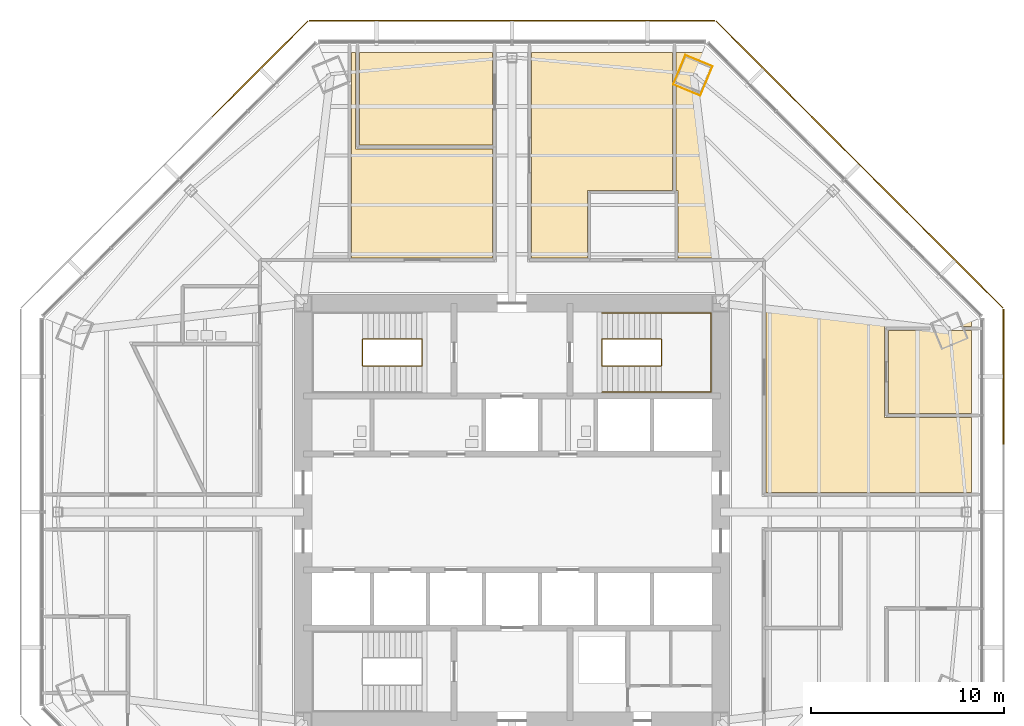
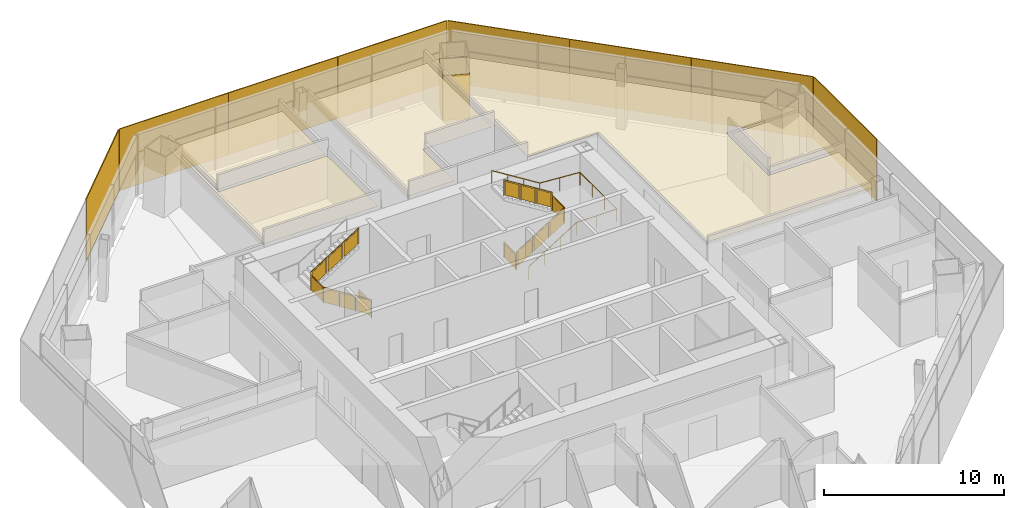
# One storey, part 13 of 14: 8 shading devices, 6 coverings, 3 railings.
"""IFC4 building model written with IfcOpenShell, lengths in metres."""

from ifc_helpers import new_model, si_unit, direction, frame, origin, origin_2d, place, context, subcontext, project, spatial, polyline, rectangle, circle, outline, extrude, source, transform, mapped, material, layer, layer_set, type_object, type_shapes, element, save


model = new_model("IFC4")

# Units and contexts
model_context = context("Model", 3, precision=1e-05, world=origin(), true_north=direction((0.0, 1.0)))
body_context = subcontext(model_context, "Body", "Model", "MODEL_VIEW")
ifc_project = project(units=[si_unit("LENGTHUNIT", "METRE"), si_unit("AREAUNIT", "SQUARE_METRE"), si_unit("VOLUMEUNIT", "CUBIC_METRE"), si_unit("PLANEANGLEUNIT", "RADIAN"), si_unit("MASSUNIT", "GRAM", prefix="KILO")], contexts=[model_context])

# Site, building, storey
site_placement = place(None, origin())
site = spatial("IfcSite", under=ifc_project, at=site_placement, CompositionType="ELEMENT")
building_placement = place(site_placement, origin())
building = spatial("IfcBuilding", under=site, at=building_placement, Name="Mashrafa Tower", CompositionType="ELEMENT")
storey_placement = place(building_placement, frame((0.0, 0.0, 130.199951171875)))
storey = spatial("IfcBuildingStorey", under=building, at=storey_placement, Name="L29", CompositionType="ELEMENT", Elevation=130.199951171875)

# Covering
ifc_material_1 = material(Name="Gypsum board")
ifc_layer_1 = layer(ifc_material_1, 0.014892578125)
ifc_layer_set_1 = layer_set([ifc_layer_1], Name="Column casing plasterboard 15")
covering_type_1 = type_object("IfcCoveringType", Name="Column casing plasterboard 15", PredefinedType="CLADDING", material=ifc_layer_set_1)
covering_1_placement = place(storey_placement, origin())
element("IfcCovering", 1, at=covering_1_placement, inside=storey, type_object=covering_type_1, Name="Column casing L29-001", PredefinedType="CLADDING", context=body_context, shape_type="SweptSolid", body=[
    extrude(outline(polyline([(8.33447265625, 22.1201171875), (8.91455078125, 23.5205078125), (8.969482421875, 23.6533203125), (10.383056640625, 23.067626953125), (9.802978515625, 21.667236328125), (9.748046875, 21.53466796875), (8.33447265625, 22.1201171875)]), holes=[polyline([(9.7890625, 21.673095703125), (10.36328125, 23.0595703125), (8.9775390625, 23.633544921875), (8.92822265625, 23.514892578125), (8.35400390625, 22.12841796875), (9.739990234375, 21.55419921875), (9.7890625, 21.673095703125)])]), origin(), (0.0, 0.0, 1.0), 3.0419921875),
])

# Railings
ifc_material_2 = material(Name="Steel guard with glass infill", Category="steel")
railing_type_1 = type_object("IfcRailingType", Name="Stair guard 1100", PredefinedType="GUARDRAIL", material=ifc_material_2)
railing_1_placement = place(storey_placement, frame((-4.64990234375, 8.949951171875, 0.0)))
element("IfcRailing", 2, at=railing_1_placement, inside=storey, type_object=railing_type_1, Name="Stair S1 guard L29", PredefinedType="GUARDRAIL", context=body_context, shape_type="SweptSolid", body=[
    extrude(circle(Radius=0.02392578125, at=origin_2d()), frame((0.0, 0.0, 1.076171875), z_axis=(0.0, -1.0, 0.0), x_axis=(1.0, 0.0, 0.0)), (0.0, 0.0, 1.0), 1.39990234375),
    extrude(circle(Radius=0.02392578125, at=origin_2d()), frame((0.0, -1.39990234375, 1.076171875), z_axis=(0.0, 0.0, 1.0), x_axis=(1.0, 0.0, 0.0)), (0.0, 0.0, 1.0), 0.175048828125),
    extrude(circle(Radius=0.02392578125, at=origin_2d()), frame((0.0, -1.39990234375, 1.2509765625), z_axis=(-0.847998304005, 0.0, 0.529998940003), x_axis=(0.0, -1.0, 0.0)), (0.0, 0.0, 1.0), 3.632080078125),
    extrude(circle(Radius=0.02392578125, at=origin_2d()), frame((-3.080078125, -1.39990234375, 3.17626953125), z_axis=(0.0, 1.0, 0.0), x_axis=(-1.0, 0.0, 0.0)), (0.0, 0.0, 1.0), 1.39990234375),
    extrude(circle(Radius=0.02392578125, at=origin_2d()), frame((-3.080078125, 0.0, 3.17626953125), z_axis=(0.0, 0.0, 1.0), x_axis=(1.0, 0.0, 0.0)), (0.0, 0.0, 1.0), 0.175048828125),
    extrude(circle(Radius=0.02392578125, at=origin_2d()), frame((-3.080078125, 0.0, 3.35107421875), z_axis=(0.848028513186, 0.0, 0.529950602248), x_axis=(0.0, 1.0, 0.0)), (0.0, 0.0, 1.0), 3.632080078125),
    extrude(circle(Radius=0.02099609375, at=origin_2d()), origin(), (0.0, 0.0, 1.0), 1.052001953125),
    extrude(circle(Radius=0.02099609375, at=origin_2d()), frame((0.0, -1.39990234375, 0.0)), (0.0, 0.0, 1.0), 1.052001953125),
    extrude(circle(Radius=0.02099609375, at=origin_2d()), frame((0.0, -1.39990234375, 0.175048828125)), (0.0, 0.0, 1.0), 1.052001953125),
    extrude(circle(Radius=0.02099609375, at=origin_2d()), frame((-1.026611328125, -1.39990234375, 0.816650390625)), (0.0, 0.0, 1.0), 1.052001953125),
    extrude(circle(Radius=0.02099609375, at=origin_2d()), frame((-2.053466796875, -1.39990234375, 1.45849609375)), (0.0, 0.0, 1.0), 1.052001953125),
    extrude(circle(Radius=0.02099609375, at=origin_2d()), frame((-3.080078125, -1.39990234375, 2.10009765625)), (0.0, 0.0, 1.0), 1.052001953125),
    extrude(circle(Radius=0.02099609375, at=origin_2d()), frame((-3.080078125, 0.0, 2.10009765625)), (0.0, 0.0, 1.0), 1.052001953125),
    extrude(circle(Radius=0.02099609375, at=origin_2d()), frame((-3.080078125, 0.0, 2.275146484375)), (0.0, 0.0, 1.0), 1.052001953125),
    extrude(circle(Radius=0.02099609375, at=origin_2d()), frame((-2.053466796875, 0.0, 2.916748046875)), (0.0, 0.0, 1.0), 1.052001953125),
    extrude(circle(Radius=0.02099609375, at=origin_2d()), frame((-1.026611328125, 0.0, 3.558349609375)), (0.0, 0.0, 1.0), 1.052001953125),
    extrude(circle(Radius=0.02099609375, at=origin_2d()), frame((0.0, 0.0, 4.199951171875)), (0.0, 0.0, 1.0), 1.052001953125),
    extrude(outline(polyline([(0.071044921875, 0.050048828125), (1.328857421875, 0.050048828125), (1.328857421875, 1.001953125), (0.071044921875, 1.001953125), (0.071044921875, 0.050048828125)])), frame((-0.006103515625, 0.0, 0.0), z_axis=(-1.0, 0.0, 0.0), x_axis=(0.0, -1.0, 0.0)), (0.0, 0.0, 1.0), 0.011962890625),
    extrude(outline(polyline([(0.071044921875, 0.094482421875), (0.955810546875, 0.647216796875), (0.955810546875, 1.599365234375), (0.071044921875, 1.04638671875), (0.071044921875, 0.094482421875)])), frame((0.0, -1.393798828125, 0.175048828125), z_axis=(0.0, 1.0, 0.0), x_axis=(-1.0, 0.0, 0.0)), (0.0, 0.0, 1.0), 0.011962890625),
    extrude(outline(polyline([(1.09765625, 0.736083984375), (1.982421875, 1.2890625), (1.982421875, 2.240966796875), (1.09765625, 1.68798828125), (1.09765625, 0.736083984375)])), frame((0.0, -1.393798828125, 0.175048828125), z_axis=(0.0, 1.0, 0.0), x_axis=(-1.0, 0.0, 0.0)), (0.0, 0.0, 1.0), 0.011962890625),
    extrude(outline(polyline([(2.124267578125, 1.377685546875), (3.009033203125, 1.9306640625), (3.009033203125, 2.882568359375), (2.124267578125, 2.329833984375), (2.124267578125, 1.377685546875)])), frame((0.0, -1.393798828125, 0.175048828125), z_axis=(0.0, 1.0, 0.0), x_axis=(-1.0, 0.0, 0.0)), (0.0, 0.0, 1.0), 0.011962890625),
    extrude(outline(polyline([(0.071044921875, 0.050048828125), (1.328857421875, 0.050048828125), (1.328857421875, 1.001953125), (0.071044921875, 1.001953125), (0.071044921875, 0.050048828125)])), frame((-3.073974609375, -1.39990234375, 2.10009765625), z_axis=(1.0, 0.0, 0.0), x_axis=(0.0, 1.0, 0.0)), (0.0, 0.0, 1.0), 0.011962890625),
    extrude(outline(polyline([(0.071044921875, 0.094482421875), (0.955810546875, 0.647216796875), (0.955810546875, 1.59912109375), (0.071044921875, 1.04638671875), (0.071044921875, 0.094482421875)])), frame((-3.080078125, -0.006103515625, 2.275146484375), z_axis=(0.0, -1.0, 0.0), x_axis=(1.0, 0.0, 0.0)), (0.0, 0.0, 1.0), 0.011962890625),
    extrude(outline(polyline([(1.09765625, 0.736083984375), (1.982421875, 1.288818359375), (1.982421875, 2.24072265625), (1.09765625, 1.68798828125), (1.09765625, 0.736083984375)])), frame((-3.080078125, -0.006103515625, 2.275146484375), z_axis=(0.0, -1.0, 0.0), x_axis=(1.0, 0.0, 0.0)), (0.0, 0.0, 1.0), 0.011962890625),
    extrude(outline(polyline([(2.124267578125, 1.377685546875), (3.009033203125, 1.930419921875), (3.009033203125, 2.88232421875), (2.124267578125, 2.32958984375), (2.124267578125, 1.377685546875)])), frame((-3.080078125, -0.006103515625, 2.275146484375), z_axis=(0.0, -1.0, 0.0), x_axis=(1.0, 0.0, 0.0)), (0.0, 0.0, 1.0), 0.011962890625),
])
railing_2_placement = place(storey_placement, frame((4.64990234375, 8.949951171875, 0.0)))
element("IfcRailing", 3, at=railing_2_placement, inside=storey, type_object=railing_type_1, Name="Stair S2 guard L29", PredefinedType="GUARDRAIL", context=body_context, shape_type="SweptSolid", body=[
    extrude(circle(Radius=0.02392578125, at=origin_2d()), frame((0.0, 0.0, 1.076171875), z_axis=(0.0, -1.0, 0.0), x_axis=(1.0, 0.0, 0.0)), (0.0, 0.0, 1.0), 1.39990234375),
    extrude(circle(Radius=0.02392578125, at=origin_2d()), frame((0.0, -1.39990234375, 1.076171875), z_axis=(0.0, 0.0, 1.0), x_axis=(1.0, 0.0, 0.0)), (0.0, 0.0, 1.0), 0.175048828125),
    extrude(circle(Radius=0.02392578125, at=origin_2d()), frame((0.0, -1.39990234375, 1.2509765625), z_axis=(0.847998304005, 0.0, 0.529998940003), x_axis=(0.0, 1.0, 0.0)), (0.0, 0.0, 1.0), 3.632080078125),
    extrude(circle(Radius=0.02392578125, at=origin_2d()), frame((3.080078125, -1.39990234375, 3.17626953125), z_axis=(0.0, 1.0, 0.0), x_axis=(-1.0, 0.0, 0.0)), (0.0, 0.0, 1.0), 1.39990234375),
    extrude(circle(Radius=0.02392578125, at=origin_2d()), frame((3.080078125, 0.0, 3.17626953125), z_axis=(0.0, 0.0, 1.0), x_axis=(1.0, 0.0, 0.0)), (0.0, 0.0, 1.0), 0.175048828125),
    extrude(circle(Radius=0.02392578125, at=origin_2d()), frame((3.080078125, 0.0, 3.35107421875), z_axis=(-0.848028513186, 0.0, 0.529950602248), x_axis=(0.0, -1.0, 0.0)), (0.0, 0.0, 1.0), 3.632080078125),
    extrude(circle(Radius=0.02099609375, at=origin_2d()), origin(), (0.0, 0.0, 1.0), 1.052001953125),
    extrude(circle(Radius=0.02099609375, at=origin_2d()), frame((0.0, -1.39990234375, 0.0)), (0.0, 0.0, 1.0), 1.052001953125),
    extrude(circle(Radius=0.02099609375, at=origin_2d()), frame((0.0, -1.39990234375, 0.175048828125)), (0.0, 0.0, 1.0), 1.052001953125),
    extrude(circle(Radius=0.02099609375, at=origin_2d()), frame((1.026611328125, -1.39990234375, 0.816650390625)), (0.0, 0.0, 1.0), 1.052001953125),
    extrude(circle(Radius=0.02099609375, at=origin_2d()), frame((2.053466796875, -1.39990234375, 1.45849609375)), (0.0, 0.0, 1.0), 1.052001953125),
    extrude(circle(Radius=0.02099609375, at=origin_2d()), frame((3.080078125, -1.39990234375, 2.10009765625)), (0.0, 0.0, 1.0), 1.052001953125),
    extrude(circle(Radius=0.02099609375, at=origin_2d()), frame((3.080078125, 0.0, 2.10009765625)), (0.0, 0.0, 1.0), 1.052001953125),
    extrude(circle(Radius=0.02099609375, at=origin_2d()), frame((3.080078125, 0.0, 2.275146484375)), (0.0, 0.0, 1.0), 1.052001953125),
    extrude(circle(Radius=0.02099609375, at=origin_2d()), frame((2.053466796875, 0.0, 2.916748046875)), (0.0, 0.0, 1.0), 1.052001953125),
    extrude(circle(Radius=0.02099609375, at=origin_2d()), frame((1.026611328125, 0.0, 3.558349609375)), (0.0, 0.0, 1.0), 1.052001953125),
    extrude(circle(Radius=0.02099609375, at=origin_2d()), frame((0.0, 0.0, 4.199951171875)), (0.0, 0.0, 1.0), 1.052001953125),
    extrude(outline(polyline([(0.071044921875, 0.050048828125), (1.328857421875, 0.050048828125), (1.328857421875, 1.001953125), (0.071044921875, 1.001953125), (0.071044921875, 0.050048828125)])), frame((-0.006103515625, 0.0, 0.0), z_axis=(-1.0, 0.0, 0.0), x_axis=(0.0, -1.0, 0.0)), (0.0, 0.0, 1.0), 0.011962890625),
    extrude(outline(polyline([(0.071044921875, 0.094482421875), (0.955810546875, 0.647216796875), (0.955810546875, 1.599365234375), (0.071044921875, 1.04638671875), (0.071044921875, 0.094482421875)])), frame((0.0, -1.406005859375, 0.175048828125), z_axis=(0.0, -1.0, 0.0), x_axis=(1.0, 0.0, 0.0)), (0.0, 0.0, 1.0), 0.011962890625),
    extrude(outline(polyline([(1.09765625, 0.736083984375), (1.982421875, 1.2890625), (1.982421875, 2.240966796875), (1.09765625, 1.68798828125), (1.09765625, 0.736083984375)])), frame((0.0, -1.406005859375, 0.175048828125), z_axis=(0.0, -1.0, 0.0), x_axis=(1.0, 0.0, 0.0)), (0.0, 0.0, 1.0), 0.011962890625),
    extrude(outline(polyline([(2.124267578125, 1.377685546875), (3.009033203125, 1.9306640625), (3.009033203125, 2.882568359375), (2.124267578125, 2.329833984375), (2.124267578125, 1.377685546875)])), frame((0.0, -1.406005859375, 0.175048828125), z_axis=(0.0, -1.0, 0.0), x_axis=(1.0, 0.0, 0.0)), (0.0, 0.0, 1.0), 0.011962890625),
    extrude(outline(polyline([(0.071044921875, 0.050048828125), (1.328857421875, 0.050048828125), (1.328857421875, 1.001953125), (0.071044921875, 1.001953125), (0.071044921875, 0.050048828125)])), frame((3.086181640625, -1.39990234375, 2.10009765625), z_axis=(1.0, 0.0, 0.0), x_axis=(0.0, 1.0, 0.0)), (0.0, 0.0, 1.0), 0.011962890625),
    extrude(outline(polyline([(0.071044921875, 0.094482421875), (0.955810546875, 0.647216796875), (0.955810546875, 1.59912109375), (0.071044921875, 1.04638671875), (0.071044921875, 0.094482421875)])), frame((3.080078125, 0.006103515625, 2.275146484375), z_axis=(0.0, 1.0, 0.0), x_axis=(-1.0, 0.0, 0.0)), (0.0, 0.0, 1.0), 0.011962890625),
    extrude(outline(polyline([(1.09765625, 0.736083984375), (1.982421875, 1.288818359375), (1.982421875, 2.24072265625), (1.09765625, 1.68798828125), (1.09765625, 0.736083984375)])), frame((3.080078125, 0.006103515625, 2.275146484375), z_axis=(0.0, 1.0, 0.0), x_axis=(-1.0, 0.0, 0.0)), (0.0, 0.0, 1.0), 0.011962890625),
    extrude(outline(polyline([(2.124267578125, 1.377685546875), (3.009033203125, 1.930419921875), (3.009033203125, 2.88232421875), (2.124267578125, 2.32958984375), (2.124267578125, 1.377685546875)])), frame((3.080078125, 0.006103515625, 2.275146484375), z_axis=(0.0, 1.0, 0.0), x_axis=(-1.0, 0.0, 0.0)), (0.0, 0.0, 1.0), 0.011962890625),
])
ifc_material_3 = material(Name="Steel", Category="steel")
railing_type_2 = type_object("IfcRailingType", Name="Stair handrail 900", PredefinedType="HANDRAIL", material=ifc_material_3)
railing_3_placement = place(storey_placement, frame((4.64990234375, 6.199951171875, 0.175048828125)))
element("IfcRailing", 4, at=railing_3_placement, inside=storey, type_object=railing_type_2, Name="Stair S2 handrail L29", PredefinedType="HANDRAIL", context=body_context, shape_type="SweptSolid", body=[
    extrude(circle(Radius=0.02392578125, at=origin_2d()), frame((0.0, 0.0, 0.8759765625), z_axis=(0.847998304005, 0.0, 0.529998940003), x_axis=(0.0, 1.0, 0.0)), (0.0, 0.0, 1.0), 3.632080078125),
    extrude(circle(Radius=0.02392578125, at=origin_2d()), frame((3.080078125, 0.0, 2.80078125), z_axis=(1.0, 0.0, 0.0), x_axis=(0.0, 1.0, 0.0)), (0.0, 0.0, 1.0), 2.570068359375),
    extrude(circle(Radius=0.02392578125, at=origin_2d()), frame((5.650146484375, 0.0, 2.80078125), z_axis=(0.0, 1.0, 0.0), x_axis=(-1.0, 0.0, 0.0)), (0.0, 0.0, 1.0), 4.10009765625),
    extrude(circle(Radius=0.02392578125, at=origin_2d()), frame((5.650146484375, 4.10009765625, 2.80078125), z_axis=(-0.997688514158, 0.0, 0.067953136188), x_axis=(0.0, -1.0, 0.0)), (0.0, 0.0, 1.0), 2.575927734375),
    extrude(circle(Radius=0.02392578125, at=origin_2d()), frame((3.080078125, 4.10009765625, 2.97607421875), z_axis=(-0.848028513186, 0.0, 0.529950602248), x_axis=(0.0, -1.0, 0.0)), (0.0, 0.0, 1.0), 3.632080078125),
    extrude(circle(Radius=0.02099609375, at=origin_2d()), origin(), (0.0, 0.0, 1.0), 0.851806640625),
    extrude(circle(Radius=0.02099609375, at=origin_2d()), frame((1.026611328125, 0.0, 0.6416015625)), (0.0, 0.0, 1.0), 0.851806640625),
    extrude(circle(Radius=0.02099609375, at=origin_2d()), frame((2.053466796875, 0.0, 1.283447265625)), (0.0, 0.0, 1.0), 0.851806640625),
    extrude(circle(Radius=0.02099609375, at=origin_2d()), frame((3.080078125, 0.0, 1.925048828125)), (0.0, 0.0, 1.0), 0.851806640625),
    extrude(circle(Radius=0.02099609375, at=origin_2d()), frame((4.365234375, 0.0, 1.925048828125)), (0.0, 0.0, 1.0), 0.851806640625),
    extrude(circle(Radius=0.02099609375, at=origin_2d()), frame((5.650146484375, 0.0, 1.925048828125)), (0.0, 0.0, 1.0), 0.851806640625),
    extrude(circle(Radius=0.02099609375, at=origin_2d()), frame((5.650146484375, 1.36669921875, 1.925048828125)), (0.0, 0.0, 1.0), 0.851806640625),
    extrude(circle(Radius=0.02099609375, at=origin_2d()), frame((5.650146484375, 2.7333984375, 1.925048828125)), (0.0, 0.0, 1.0), 0.851806640625),
    extrude(circle(Radius=0.02099609375, at=origin_2d()), frame((5.650146484375, 4.10009765625, 1.925048828125)), (0.0, 0.0, 1.0), 0.851806640625),
    extrude(circle(Radius=0.02099609375, at=origin_2d()), frame((4.365234375, 4.10009765625, 2.0126953125)), (0.0, 0.0, 1.0), 0.851806640625),
    extrude(circle(Radius=0.02099609375, at=origin_2d()), frame((3.080078125, 4.10009765625, 2.10009765625)), (0.0, 0.0, 1.0), 0.851806640625),
    extrude(circle(Radius=0.02099609375, at=origin_2d()), frame((2.053466796875, 4.10009765625, 2.74169921875)), (0.0, 0.0, 1.0), 0.851806640625),
    extrude(circle(Radius=0.02099609375, at=origin_2d()), frame((1.026611328125, 4.10009765625, 3.38330078125)), (0.0, 0.0, 1.0), 0.851806640625),
    extrude(circle(Radius=0.02099609375, at=origin_2d()), frame((0.0, 4.10009765625, 4.02490234375)), (0.0, 0.0, 1.0), 0.851806640625),
])

# Coverings
ifc_material_4 = material(Name="Mineral fibre tile on suspension grid")
ifc_layer_2 = layer(ifc_material_4, 0.014892578125)
ifc_layer_set_2 = layer_set([ifc_layer_2], Name="Suspended ceiling mineral tile 15")
covering_type_2 = type_object("IfcCoveringType", Name="Suspended ceiling mineral tile 15", PredefinedType="CEILING", material=ifc_layer_set_2)
covering_2_placement = place(storey_placement, frame((0.0, 0.0, 2.900146484375)))
element("IfcCovering", 5, at=covering_2_placement, inside=storey, type_object=covering_type_2, Name="Ceiling Board Room 29-N", PredefinedType="CEILING", context=body_context, shape_type="SweptSolid", body=[
    extrude(outline(polyline([(-7.89990234375, 23.781494140625), (-1.0, 23.781494140625), (-1.0, 18.9814453125), (-7.89990234375, 18.9814453125), (-7.89990234375, 23.781494140625)])), origin(), (0.0, 0.0, 1.0), 0.014892578125),
])
covering_3_placement = place(storey_placement, frame((0.0, 0.0, 2.900146484375)))
element("IfcCovering", 6, at=covering_3_placement, inside=storey, type_object=covering_type_2, Name="Ceiling Meeting Room 29-N-NE1", PredefinedType="CEILING", context=body_context, shape_type="SweptSolid", body=[
    extrude(outline(polyline([(19.4814453125, 9.39990234375), (23.781494140625, 9.39990234375), (23.781494140625, 5.10009765625), (19.4814453125, 5.10009765625), (19.4814453125, 9.39990234375)])), origin(), (0.0, 0.0, 1.0), 0.014892578125),
])
covering_4_placement = place(storey_placement, frame((0.0, 0.0, 2.900146484375)))
element("IfcCovering", 7, at=covering_4_placement, inside=storey, type_object=covering_type_2, Name="Ceiling Office Tenancy 29-N-NE1", PredefinedType="CEILING", context=body_context, shape_type="SweptSolid", body=[
    extrude(outline(polyline([(8.5, 16.64990234375), (8.5, 23.781494140625), (9.8505859375, 23.781494140625), (23.781494140625, 9.8505859375), (23.781494140625, 9.60009765625), (19.281494140625, 9.60009765625), (19.281494140625, 4.89990234375), (23.781494140625, 4.89990234375), (23.781494140625, 1.0), (13.14990234375, 1.0), (13.14990234375, 13.14990234375), (8.60009765625, 13.14990234375), (8.60009765625, 16.64990234375), (8.5, 16.64990234375)])), origin(), (0.0, 0.0, 1.0), 0.014892578125),
])
covering_5_placement = place(storey_placement, frame((0.0, 0.0, 2.900146484375)))
element("IfcCovering", 8, at=covering_5_placement, inside=storey, type_object=covering_type_2, Name="Ceiling Office Tenancy 29-N-NE2", PredefinedType="CEILING", context=body_context, shape_type="SweptSolid", body=[
    extrude(outline(polyline([(1.0, 23.781494140625), (8.300048828125, 23.781494140625), (8.300048828125, 16.64990234375), (3.89990234375, 16.64990234375), (3.89990234375, 13.14990234375), (1.0, 13.14990234375), (1.0, 23.781494140625)])), origin(), (0.0, 0.0, 1.0), 0.014892578125),
])
covering_6_placement = place(storey_placement, frame((0.0, 0.0, 2.900146484375)))
element("IfcCovering", 9, at=covering_6_placement, inside=storey, type_object=covering_type_2, Name="Ceiling Office Tenancy 29-N-NW2", PredefinedType="CEILING", context=body_context, shape_type="SweptSolid", body=[
    extrude(outline(polyline([(-8.300048828125, 13.14990234375), (-8.300048828125, 23.781494140625), (-8.10009765625, 23.781494140625), (-8.10009765625, 18.781494140625), (-1.0, 18.781494140625), (-1.0, 13.14990234375), (-8.300048828125, 13.14990234375)])), origin(), (0.0, 0.0, 1.0), 0.014892578125),
])

# Shading devices
ifc_material_5 = material(Name="Perforated aluminium plate, eight-point star pattern", Category="aluminium")
ifc_layer_3 = layer(ifc_material_5, 0.06005859375)
ifc_layer_set_3 = layer_set([ifc_layer_3], Name="Mashrabiya screen panel office zone 2, 40 percent open")
shading_device_type = type_object("IfcShadingDeviceType", Name="Mashrabiya screen panel office zone 2, 40 percent open", PredefinedType="SHUTTER", material=ifc_layer_set_3)
shared_shape = source(origin(), body_context, "Body", "SweptSolid", [
    extrude(rectangle(XDim=6.98779296875, YDim=0.06005859375, at=origin_2d()), origin(), (0.0, 0.0, 1.0), 4.179931640625),
])
type_shapes(shading_device_type, [shared_shape])
for number, where, z_axis, x_axis, name in (
    (10, (25.431640625, 7.0078125, -0.14990234375), (0.0, 0.0, 1.0), (0.0, 1.0, 0.0), "Mashrabiya screen L29 east 3"),
    (11, (22.93798828125, 13.027587890625, -0.14990234375), (0.0, 0.0, 1.0), (-0.707106781187, 0.707106781187, 0.0), "Mashrabiya screen L29 north-east 1"),
    (12, (17.98291015625, 17.98291015625, -0.14990234375), (0.0, 0.0, 1.0), (-0.707106781187, 0.707106781187, 0.0), "Mashrabiya screen L29 north-east 2"),
    (13, (13.027587890625, 22.93798828125, -0.14990234375), (0.0, 0.0, 1.0), (-0.707106781187, 0.707106781187, 0.0), "Mashrabiya screen L29 north-east 3"),
    (14, (7.0078125, 25.431640625, -0.14990234375), (0.0, 0.0, 1.0), (-1.0, 0.0, 0.0), "Mashrabiya screen L29 north 1"),
    (15, (0.0, 25.431640625, -0.14990234375), (0.0, 0.0, 1.0), (-1.0, 0.0, 0.0), "Mashrabiya screen L29 north 2"),
    (16, (-7.0078125, 25.431640625, -0.14990234375), (0.0, 0.0, 1.0), (-1.0, 0.0, 0.0), "Mashrabiya screen L29 north 3"),
    (17, (-13.027587890625, 22.93798828125, -0.14990234375), (0.0, 0.0, 1.0), (-0.707106781187, -0.707106781187, 0.0), "Mashrabiya screen L29 north-west 1"),
):
    element("IfcShadingDevice", number, at=place(storey_placement, frame(where, z_axis=z_axis, x_axis=x_axis)), inside=storey, type_object=shading_device_type, Name=name, PredefinedType="SHUTTER", context=body_context, shape_type="MappedRepresentation", body=[
        mapped(shared_shape, transform((0.0, 0.0, 0.0))),
    ])

save(model, "model.ifc")
